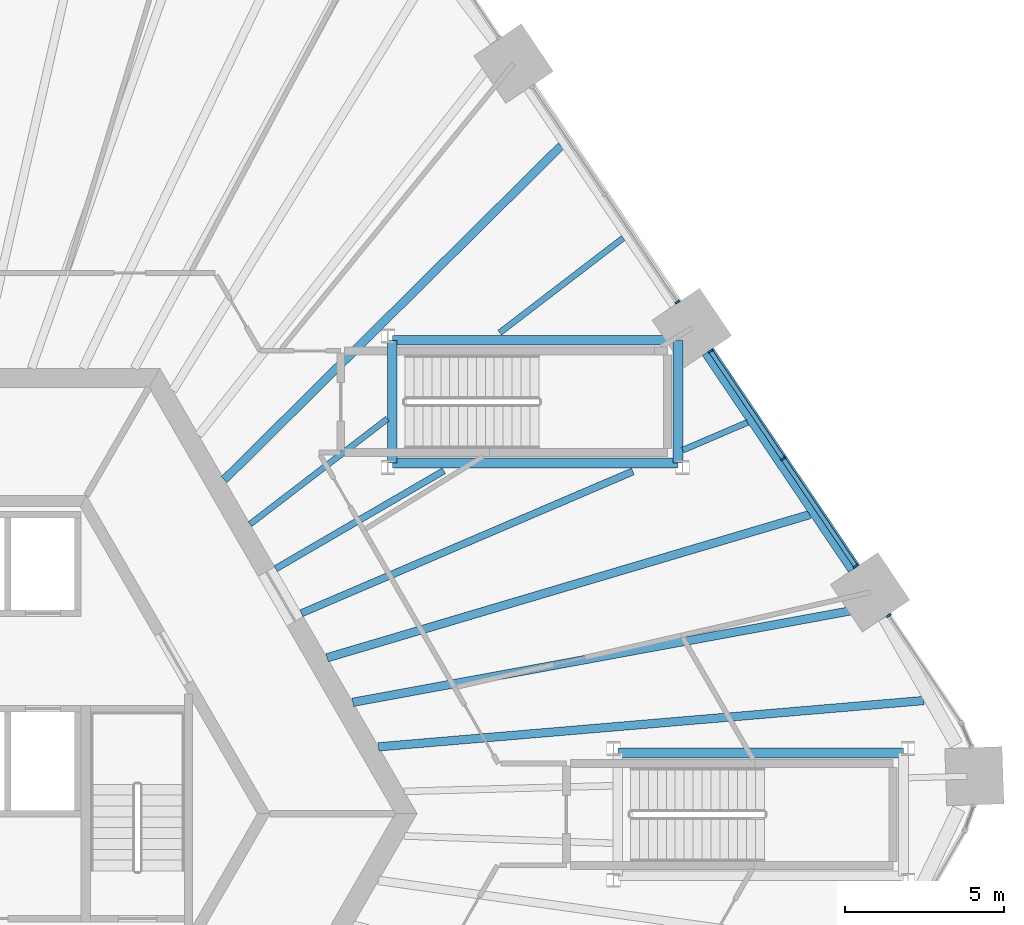
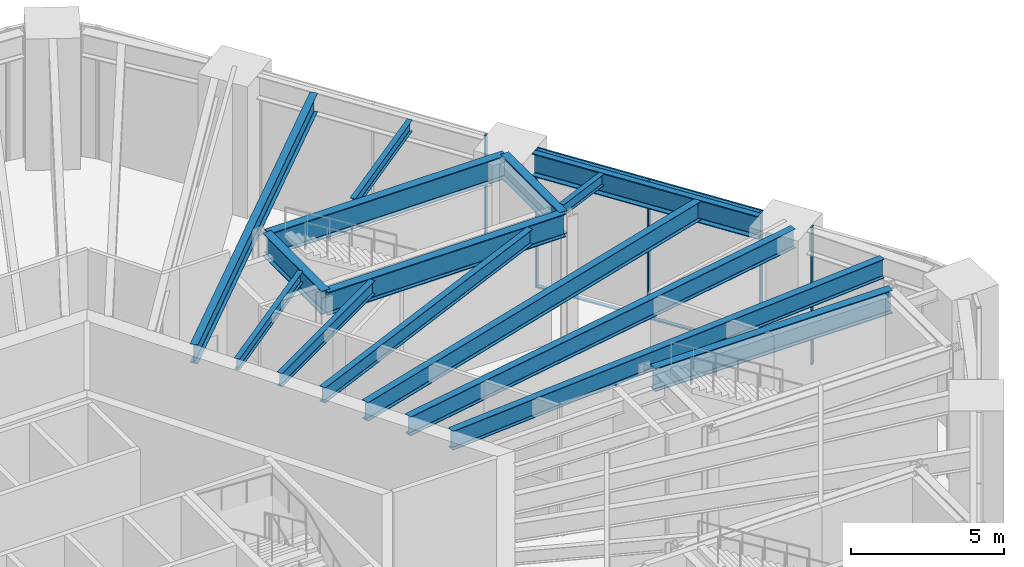
# One storey, part 9 of 30: 15 beams, 9 members, 3 elements without a shape of their own.
"""IFC4 building model written with IfcOpenShell, lengths in metres."""

from ifc_helpers import new_model, si_unit, direction, frame, origin, origin_2d, place, context, subcontext, project, spatial, rectangle, i_section, extrude, material, material_profile, profile_set, type_object, element, aggregate, save


model = new_model("IFC4")

# Units and contexts
model_context = context("Model", 3, precision=1e-05, world=origin(), true_north=direction((0.0, 1.0)))
body_context = subcontext(model_context, "Body", "Model", "MODEL_VIEW")
ifc_project = project(units=[si_unit("LENGTHUNIT", "METRE"), si_unit("AREAUNIT", "SQUARE_METRE"), si_unit("VOLUMEUNIT", "CUBIC_METRE"), si_unit("PLANEANGLEUNIT", "RADIAN"), si_unit("MASSUNIT", "GRAM", prefix="KILO")], contexts=[model_context])

# Site, building, storey
site_placement = place(None, origin())
site = spatial("IfcSite", under=ifc_project, at=site_placement, CompositionType="ELEMENT")
building_placement = place(site_placement, origin())
building = spatial("IfcBuilding", under=site, at=building_placement, Name="Tarnside Tower", CompositionType="ELEMENT")
storey_placement = place(building_placement, frame((0.0, 0.0, 20.5)))
storey = spatial("IfcBuildingStorey", under=building, at=storey_placement, Name="L03", CompositionType="ELEMENT", Elevation=20.5)

# Beams
ifc_material_1 = material(Name="Steel S355", Category="steel")
ifc_material_profile_1 = material_profile(ifc_material_1, i_section(OverallWidth=0.18994140625, OverallDepth=0.453369140625, WebThickness=0.008544921875, FlangeThickness=0.0126953125, FilletRadius=0.01025390625, at=origin_2d()), Name="UB 457x191x67")
ifc_profile_set_1 = profile_set([ifc_material_profile_1], Name="Steel S355")
beam_type_1 = type_object("IfcBeamType", Name="Floor beam UB 457x191x67", PredefinedType="BEAM", material=ifc_profile_set_1)
beam_1_placement = place(storey_placement, frame((26.551513671875, 12.298828125, 5.023193359375), z_axis=(-0.919441609872, -0.393226558153, 0.0), x_axis=(0.393226558153, -0.919441609872, 0.0)))
element("IfcBeam", 1, at=beam_1_placement, inside=storey, type_object=beam_type_1, Name="Floor beam F6.04a", PredefinedType="BEAM", context=body_context, shape_type="SweptSolid", body=[
    extrude(i_section(OverallWidth=0.18994140625, OverallDepth=0.453369140625, WebThickness=0.008544921875, FlangeThickness=0.0126953125, FilletRadius=0.01025390625, at=origin_2d()), origin(), (0.0, 0.0, 1.0), 2.212158203125),
])
beam_2_placement = place(storey_placement, frame((22.643310546875, 18.093505859375, 5.023193359375), z_axis=(-0.793636087197, -0.608392768775, 0.0), x_axis=(0.608392768775, -0.793636087197, 0.0)))
element("IfcBeam", 2, at=beam_2_placement, inside=storey, type_object=beam_type_1, Name="Floor beam F6.06a", PredefinedType="BEAM", context=body_context, shape_type="SweptSolid", body=[
    extrude(i_section(OverallWidth=0.18994140625, OverallDepth=0.453369140625, WebThickness=0.008544921875, FlangeThickness=0.0126953125, FilletRadius=0.01025390625, at=origin_2d()), origin(), (0.0, 0.0, 1.0), 4.890869140625),
])
beam_3_placement = place(storey_placement, frame((15.232421875, 12.412109375, 5.023193359375), z_axis=(-0.793643172009, -0.60838352667, 0.0), x_axis=(0.60838352667, -0.793643172009, 0.0)))
element("IfcBeam", 3, at=beam_3_placement, inside=storey, type_object=beam_type_1, Name="Floor beam F6.06b", PredefinedType="BEAM", context=body_context, shape_type="SweptSolid", body=[
    extrude(i_section(OverallWidth=0.18994140625, OverallDepth=0.453369140625, WebThickness=0.008544921875, FlangeThickness=0.0126953125, FilletRadius=0.01025390625, at=origin_2d()), origin(), (0.0, 0.0, 1.0), 5.44384765625),
])
ifc_material_profile_2 = material_profile(ifc_material_1, i_section(OverallWidth=0.209228515625, OverallDepth=0.533203125, WebThickness=0.010009765625, FlangeThickness=0.015625, FilletRadius=0.0126953125, at=origin_2d()), Name="UB 533x210x92")
ifc_profile_set_2 = profile_set([ifc_material_profile_2], Name="Steel S355")
beam_type_2 = type_object("IfcBeamType", Name="Floor beam UB 533x210x92", PredefinedType="BEAM", material=ifc_profile_set_2)
beam_4_placement = place(storey_placement, frame((17.0048828125, 10.776611328125, 4.9833984375), z_axis=(-0.864210101903, -0.503131096007, 0.0), x_axis=(0.503131096007, -0.864210101903, 0.0)))
element("IfcBeam", 4, at=beam_4_placement, inside=storey, type_object=beam_type_2, Name="Floor beam F6.05", PredefinedType="BEAM", context=body_context, shape_type="SweptSolid", body=[
    extrude(i_section(OverallWidth=0.209228515625, OverallDepth=0.533203125, WebThickness=0.010009765625, FlangeThickness=0.015625, FilletRadius=0.0126953125, at=origin_2d()), origin(), (0.0, 0.0, 1.0), 6.114990234375),
])
ifc_material_profile_3 = material_profile(ifc_material_1, i_section(OverallWidth=0.228271484375, OverallDepth=0.607666015625, WebThickness=0.010986328125, FlangeThickness=0.017333984375, FilletRadius=0.0126953125, at=origin_2d()), Name="UB 610x229x113")
ifc_profile_set_3 = profile_set([ifc_material_profile_3], Name="Steel S355")
beam_type_3 = type_object("IfcBeamType", Name="Floor beam UB 610x229x113", PredefinedType="BEAM", material=ifc_profile_set_3)
beam_5_placement = place(storey_placement, frame((22.947509765625, 10.757080078125, 4.9462890625), z_axis=(-0.919407809439, -0.393305580868, 0.0), x_axis=(0.393305580868, -0.919407809439, 0.0)))
element("IfcBeam", 5, at=beam_5_placement, inside=storey, type_object=beam_type_3, Name="Floor beam F6.04b", PredefinedType="BEAM", context=body_context, shape_type="SweptSolid", body=[
    extrude(i_section(OverallWidth=0.228271484375, OverallDepth=0.607666015625, WebThickness=0.010986328125, FlangeThickness=0.017333984375, FilletRadius=0.0126953125, at=origin_2d()), origin(), (0.0, 0.0, 1.0), 11.332275390625),
])
ifc_material_profile_4 = material_profile(ifc_material_1, i_section(OverallWidth=0.26513671875, OverallDepth=0.75390625, WebThickness=0.0126953125, FlangeThickness=0.017578125, FilletRadius=0.0166015625, at=origin_2d()), Name="UB 762x267x147")
ifc_profile_set_4 = profile_set([ifc_material_profile_4], Name="Steel S355")
beam_type_4 = type_object("IfcBeamType", Name="Floor beam UB 762x267x147", PredefinedType="BEAM", material=ifc_profile_set_4)
beam_6_placement = place(storey_placement, frame((28.507080078125, 9.39990234375, 4.873046875), z_axis=(-0.958709656164, -0.284386700073, 0.0), x_axis=(0.284386700073, -0.958709656164, 0.0)))
element("IfcBeam", 6, at=beam_6_placement, inside=storey, type_object=beam_type_4, Name="Floor beam F6.03", PredefinedType="BEAM", context=body_context, shape_type="SweptSolid", body=[
    extrude(i_section(OverallWidth=0.26513671875, OverallDepth=0.75390625, WebThickness=0.0126953125, FlangeThickness=0.017578125, FilletRadius=0.0166015625, at=origin_2d()), origin(), (0.0, 0.0, 1.0), 15.823486328125),
])
beam_7_placement = place(storey_placement, frame((20.690185546875, 20.98876953125, 4.873046875), z_axis=(-0.710383794714, -0.703814509801, 0.0), x_axis=(0.703814509801, -0.710383794714, 0.0)))
element("IfcBeam", 7, at=beam_7_placement, inside=storey, type_object=beam_type_4, Name="Floor beam F6.07", PredefinedType="BEAM", context=body_context, shape_type="SweptSolid", body=[
    extrude(i_section(OverallWidth=0.26513671875, OverallDepth=0.75390625, WebThickness=0.0126953125, FlangeThickness=0.017578125, FilletRadius=0.0166015625, at=origin_2d()), origin(), (0.0, 0.0, 1.0), 14.90283203125),
])
ifc_material_profile_5 = material_profile(ifc_material_1, i_section(OverallWidth=0.2666015625, OverallDepth=0.76220703125, WebThickness=0.014404296875, FlangeThickness=0.021484375, FilletRadius=0.0166015625, at=origin_2d()), Name="UB 762x267x173")
ifc_profile_set_5 = profile_set([ifc_material_profile_5], Name="Steel S355")
beam_type_5 = type_object("IfcBeamType", Name="Floor beam UB 762x267x173", PredefinedType="BEAM", material=ifc_profile_set_5)
beam_8_placement = place(storey_placement, frame((32.09423828125, 3.5556640625, 4.868896484375), z_axis=(-0.996413859407, -0.084613360535, 0.0), x_axis=(0.084613360535, -0.996413859407, 0.0)))
element("IfcBeam", 8, at=beam_8_placement, inside=storey, type_object=beam_type_5, Name="Floor beam F6.01", PredefinedType="BEAM", context=body_context, shape_type="SweptSolid", body=[
    extrude(i_section(OverallWidth=0.2666015625, OverallDepth=0.76220703125, WebThickness=0.014404296875, FlangeThickness=0.021484375, FilletRadius=0.0166015625, at=origin_2d()), origin(), (0.0, 0.0, 1.0), 17.20263671875),
])
beam_9_placement = place(storey_placement, frame((30.42919921875, 6.493408203125, 4.868896484375), z_axis=(-0.983521009802, -0.180793869583, 0.0), x_axis=(0.180793869583, -0.983521009802, 0.0)))
element("IfcBeam", 9, at=beam_9_placement, inside=storey, type_object=beam_type_5, Name="Floor beam F6.02", PredefinedType="BEAM", context=body_context, shape_type="SweptSolid", body=[
    extrude(i_section(OverallWidth=0.2666015625, OverallDepth=0.76220703125, WebThickness=0.014404296875, FlangeThickness=0.021484375, FilletRadius=0.0166015625, at=origin_2d()), origin(), (0.0, 0.0, 1.0), 16.55712890625),
])
ifc_material_profile_6 = material_profile(ifc_material_1, i_section(OverallWidth=0.3076171875, OverallDepth=0.926513671875, WebThickness=0.01953125, FlangeThickness=0.031982421875, FilletRadius=0.01904296875, at=origin_2d()), Name="UB 914x305x289")
ifc_profile_set_6 = profile_set([ifc_material_profile_6], Name="Steel S355")
beam_type_6 = type_object("IfcBeamType", Name="Perimeter girder UB 914x305x289", PredefinedType="BEAM", material=ifc_profile_set_6)
beam_10_placement = place(storey_placement, frame((22.476318359375, 1.90380859375, 4.78662109375), z_axis=(1.0, 0.0, 0.0), x_axis=(0.0, 1.0, 0.0)))
element("IfcBeam", 10, at=beam_10_placement, inside=storey, type_object=beam_type_6, Name="Perimeter girder T12", PredefinedType="BEAM", context=body_context, shape_type="SweptSolid", body=[
    extrude(i_section(OverallWidth=0.3076171875, OverallDepth=0.926513671875, WebThickness=0.01953125, FlangeThickness=0.031982421875, FilletRadius=0.01904296875, at=origin_2d()), origin(), (0.0, 0.0, 1.0), 8.9775390625),
])
beam_11_placement = place(storey_placement, frame((24.36376953125, 14.87890625, 4.78662109375), z_axis=(0.0, -1.0, 0.0), x_axis=(1.0, 0.0, 0.0)))
element("IfcBeam", 11, at=beam_11_placement, inside=storey, type_object=beam_type_6, Name="Perimeter girder T13", PredefinedType="BEAM", context=body_context, shape_type="SweptSolid", body=[
    extrude(i_section(OverallWidth=0.3076171875, OverallDepth=0.926513671875, WebThickness=0.01953125, FlangeThickness=0.031982421875, FilletRadius=0.01904296875, at=origin_2d()), origin(), (0.0, 0.0, 1.0), 3.857666015625),
])
beam_12_placement = place(storey_placement, frame((24.36376953125, 11.021240234375, 4.78662109375), z_axis=(-1.0, 0.0, 0.0), x_axis=(0.0, -1.0, 0.0)))
element("IfcBeam", 12, at=beam_12_placement, inside=storey, type_object=beam_type_6, Name="Perimeter girder T14", PredefinedType="BEAM", context=body_context, shape_type="SweptSolid", body=[
    extrude(i_section(OverallWidth=0.3076171875, OverallDepth=0.926513671875, WebThickness=0.01953125, FlangeThickness=0.031982421875, FilletRadius=0.01904296875, at=origin_2d()), origin(), (0.0, 0.0, 1.0), 8.9775390625),
])
beam_13_placement = place(storey_placement, frame((15.38623046875, 11.021240234375, 4.78662109375), z_axis=(0.0, 1.0, 0.0), x_axis=(-1.0, 0.0, 0.0)))
element("IfcBeam", 13, at=beam_13_placement, inside=storey, type_object=beam_type_6, Name="Perimeter girder T15", PredefinedType="BEAM", context=body_context, shape_type="SweptSolid", body=[
    extrude(i_section(OverallWidth=0.3076171875, OverallDepth=0.926513671875, WebThickness=0.01953125, FlangeThickness=0.031982421875, FilletRadius=0.01904296875, at=origin_2d()), origin(), (0.0, 0.0, 1.0), 3.857666015625),
])
beam_14_placement = place(storey_placement, frame((15.38623046875, 14.87890625, 4.78662109375), z_axis=(1.0, 0.0, 0.0), x_axis=(0.0, 1.0, 0.0)))
element("IfcBeam", 14, at=beam_14_placement, inside=storey, type_object=beam_type_6, Name="Perimeter girder T16", PredefinedType="BEAM", context=body_context, shape_type="SweptSolid", body=[
    extrude(i_section(OverallWidth=0.3076171875, OverallDepth=0.926513671875, WebThickness=0.01953125, FlangeThickness=0.031982421875, FilletRadius=0.01904296875, at=origin_2d()), origin(), (0.0, 0.0, 1.0), 8.9775390625),
])
ifc_material_2 = material(Name="Steel S460", Category="steel")
ifc_material_profile_7 = material_profile(ifc_material_2, i_section(OverallWidth=0.42041015625, OverallDepth=0.9208984375, WebThickness=0.021484375, FlangeThickness=0.03662109375, FilletRadius=0.024169921875, at=origin_2d()), Name="UB 914x419x388")
ifc_profile_set_7 = profile_set([ifc_material_profile_7], Name="Steel S460")
beam_type_7 = type_object("IfcBeamType", Name="Perimeter girder UB 914x419x388", PredefinedType="BEAM", material=ifc_profile_set_7)
beam_15_placement = place(storey_placement, frame((29.904052734375, 7.70458984375, 4.78955078125), z_axis=(-0.559186275376, 0.829042043223, 0.0), x_axis=(-0.829042043223, -0.559186275376, 0.0)))
element("IfcBeam", 15, at=beam_15_placement, inside=storey, type_object=beam_type_7, Name="Perimeter girder M21", PredefinedType="BEAM", context=body_context, shape_type="SweptSolid", body=[
    extrude(i_section(OverallWidth=0.42041015625, OverallDepth=0.9208984375, WebThickness=0.021484375, FlangeThickness=0.03662109375, FilletRadius=0.024169921875, at=origin_2d()), origin(), (0.0, 0.0, 1.0), 8.223876953125),
])

# Curtain wall, member
ifc_material_3 = material(Name="Retail shopfront glazing wall", Category="glass")
curtain_wall_type = type_object("IfcCurtainWallType", Name="Retail shopfront glazing wall", PredefinedType="NOTDEFINED", material=ifc_material_3)
curtain_wall_1_placement = place(storey_placement, origin())
curtain_wall_1 = element("IfcCurtainWall", 16, at=curtain_wall_1_placement, inside=storey, type_object=curtain_wall_type, Name="Retail shopfront glazing L03 19.1", PredefinedType="NOTDEFINED")
ifc_material_4 = material(Name="Aluminium alloy 6063", Category="aluminium")
ifc_material_profile_8 = material_profile(ifc_material_4, rectangle(XDim=0.159912109375, YDim=0.06005859375, at=origin_2d()), Name="Retail shopfront glazing mullion 60 x 160")
ifc_profile_set_8 = profile_set([ifc_material_profile_8], Name="Aluminium alloy 6063")
member_type_1 = type_object("IfcMemberType", Name="Retail shopfront glazing mullion 60 x 160", PredefinedType="MULLION", material=ifc_profile_set_8)
member_1_placement = place(storey_placement, frame((30.99365234375, 6.232177734375, -0.25), z_axis=(0.0, 0.0, 1.0), x_axis=(-0.829037572487, -0.559192903572, 0.0)))
member_1 = element("IfcMember", 17, at=member_1_placement, type_object=member_type_1, Name="CW2 mullion 2", PredefinedType="MULLION", context=body_context, shape_type="SweptSolid", body=[
    extrude(rectangle(XDim=0.159912109375, YDim=0.06005859375, at=origin_2d()), origin(), (0.0, 0.0, 1.0), 5.5),
])
aggregate(curtain_wall_1, [member_1])

# Curtain wall, members
curtain_wall_2_placement = place(storey_placement, origin())
curtain_wall_2 = element("IfcCurtainWall", 18, at=curtain_wall_2_placement, inside=storey, type_object=curtain_wall_type, Name="Retail shopfront glazing L03 20.0", PredefinedType="NOTDEFINED")
member_2_placement = place(storey_placement, frame((29.95361328125, 7.774169921875, -0.25), z_axis=(0.0, 0.0, 1.0), x_axis=(-0.829037572545, -0.559192903485, 0.0)))
member_2 = element("IfcMember", 19, at=member_2_placement, type_object=member_type_1, Name="CW2 mullion 1", PredefinedType="MULLION", context=body_context, shape_type="SweptSolid", body=[
    extrude(rectangle(XDim=0.159912109375, YDim=0.06005859375, at=origin_2d()), origin(), (0.0, 0.0, 1.0), 5.5),
])
member_3_placement = place(storey_placement, frame((27.671142578125, 11.158203125, -0.25), z_axis=(0.0, 0.0, 1.0), x_axis=(-0.829037572545, -0.559192903485, 0.0)))
member_3 = element("IfcMember", 20, at=member_3_placement, type_object=member_type_1, Name="CW2 mullion 2", PredefinedType="MULLION", context=body_context, shape_type="SweptSolid", body=[
    extrude(rectangle(XDim=0.159912109375, YDim=0.06005859375, at=origin_2d()), origin(), (0.0, 0.0, 1.0), 5.5),
])
member_4_placement = place(storey_placement, frame((25.388671875, 14.542236328125, -0.25), z_axis=(0.0, 0.0, 1.0), x_axis=(-0.829037572545, -0.559192903485, 0.0)))
member_4 = element("IfcMember", 21, at=member_4_placement, type_object=member_type_1, Name="CW2 mullion 3", PredefinedType="MULLION", context=body_context, shape_type="SweptSolid", body=[
    extrude(rectangle(XDim=0.159912109375, YDim=0.06005859375, at=origin_2d()), origin(), (0.0, 0.0, 1.0), 5.5),
])

# Curtain wall, member
curtain_wall_3_placement = place(storey_placement, origin())
curtain_wall_3 = element("IfcCurtainWall", 22, at=curtain_wall_3_placement, inside=storey, type_object=curtain_wall_type, Name="Retail shopfront glazing L03 21.0", PredefinedType="NOTDEFINED")
member_5_placement = place(storey_placement, frame((24.348388671875, 16.084228515625, -0.25), z_axis=(0.0, 0.0, 1.0), x_axis=(-0.829037572545, -0.559192903485, 0.0)))
member_5 = element("IfcMember", 23, at=member_5_placement, type_object=member_type_1, Name="CW2 mullion 1", PredefinedType="MULLION", context=body_context, shape_type="SweptSolid", body=[
    extrude(rectangle(XDim=0.159912109375, YDim=0.06005859375, at=origin_2d()), origin(), (0.0, 0.0, 1.0), 5.5),
])
aggregate(curtain_wall_3, [member_5])

# Member
ifc_material_profile_9 = material_profile(ifc_material_4, rectangle(XDim=0.139892578125, YDim=0.06005859375, at=origin_2d()), Name="Retail shopfront glazing transom 60 x 140")
ifc_profile_set_9 = profile_set([ifc_material_profile_9], Name="Aluminium alloy 6063")
member_type_2 = type_object("IfcMemberType", Name="Retail shopfront glazing transom 60 x 140", PredefinedType="USERDEFINED", material=ifc_profile_set_9)
member_6_placement = place(storey_placement, frame((29.93701171875, 7.799072265625, -0.219970703125), z_axis=(-0.559202799254, 0.829030897679, 0.0), x_axis=(-0.829030897679, -0.559202799254, 0.0)))
member_6 = element("IfcMember", 24, at=member_6_placement, type_object=member_type_2, Name="CW2 transom 1.1", ObjectType="TRANSOM", PredefinedType="USERDEFINED", context=body_context, shape_type="SweptSolid", body=[
    extrude(rectangle(XDim=0.139892578125, YDim=0.06005859375, at=origin_2d()), origin(), (0.0, 0.0, 1.0), 4.021728515625),
])

member_7_placement = place(storey_placement, frame((29.93701171875, 7.799072265625, 5.219970703125), z_axis=(-0.559202799254, 0.829030897679, 0.0), x_axis=(-0.829030897679, -0.559202799254, 0.0)))
member_7 = element("IfcMember", 25, at=member_7_placement, type_object=member_type_2, Name="CW2 transom 1.2", ObjectType="TRANSOM", PredefinedType="USERDEFINED", context=body_context, shape_type="SweptSolid", body=[
    extrude(rectangle(XDim=0.139892578125, YDim=0.06005859375, at=origin_2d()), origin(), (0.0, 0.0, 1.0), 4.021728515625),
])

member_8_placement = place(storey_placement, frame((27.654296875, 11.18310546875, -0.219970703125), z_axis=(-0.559202799254, 0.829030897679, 0.0), x_axis=(-0.829030897679, -0.559202799254, 0.0)))
member_8 = element("IfcMember", 26, at=member_8_placement, type_object=member_type_2, Name="CW2 transom 2.1", ObjectType="TRANSOM", PredefinedType="USERDEFINED", context=body_context, shape_type="SweptSolid", body=[
    extrude(rectangle(XDim=0.139892578125, YDim=0.06005859375, at=origin_2d()), origin(), (0.0, 0.0, 1.0), 4.021728515625),
])

member_9_placement = place(storey_placement, frame((27.654296875, 11.18310546875, 5.219970703125), z_axis=(-0.559202799254, 0.829030897679, 0.0), x_axis=(-0.829030897679, -0.559202799254, 0.0)))
member_9 = element("IfcMember", 27, at=member_9_placement, type_object=member_type_2, Name="CW2 transom 2.2", ObjectType="TRANSOM", PredefinedType="USERDEFINED", context=body_context, shape_type="SweptSolid", body=[
    extrude(rectangle(XDim=0.139892578125, YDim=0.06005859375, at=origin_2d()), origin(), (0.0, 0.0, 1.0), 4.021728515625),
])

aggregate(curtain_wall_2, [member_2, member_3, member_4, member_6, member_7, member_8, member_9])

save(model, "model.ifc")
